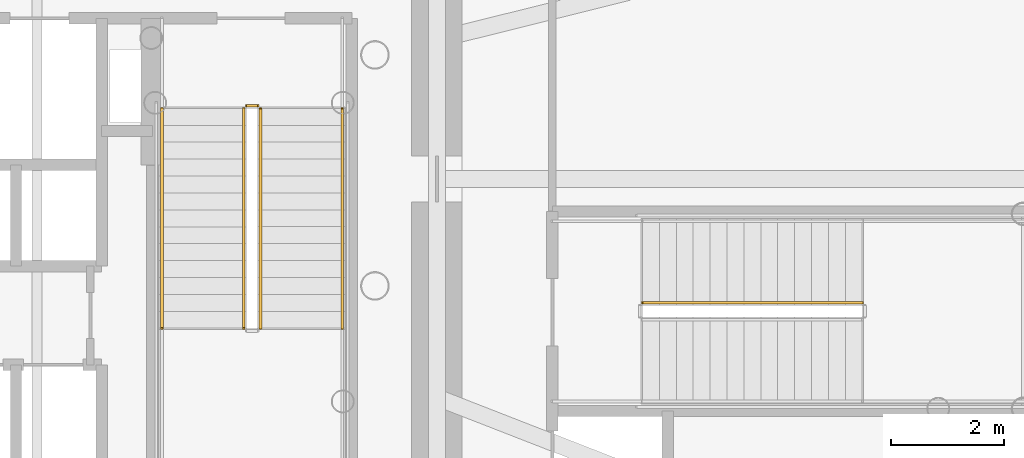
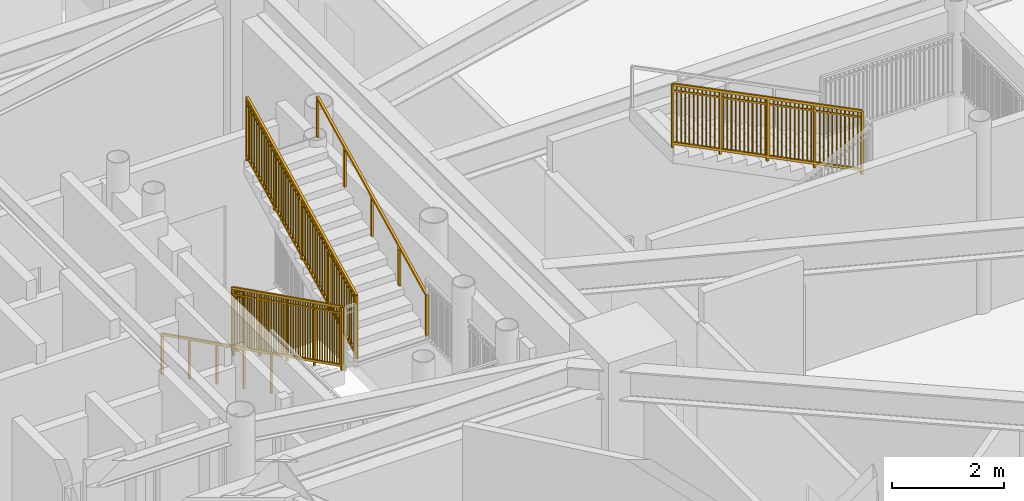
# One storey, part 25 of 28: 6 railings.
"""IFC4 building model written with IfcOpenShell, lengths in metres."""

import ifcopenshell
import ifcopenshell.guid

model = None  # the IFC model being written
_history = None  # IfcOwnerHistory: only IFC2X3 demands one
_inside = {}  # id of a spatial element -> (the spatial element, [elements in it])
_under = {}  # id of a project, library or spatial element -> (it, [spatial elements below it])
_declared = {}  # id of a project -> (the project, [libraries it declares])
_typed = {}  # id of a type object -> (the type object, [elements of that type])
_made_of = {}  # id of a material, layer set ... -> (it, [elements and type objects made of it])


def new_model(schema):
    """Start an empty IFC model of exactly this schema.

    Asked for "IFC4X3", IfcOpenShell would pick the latest addendum, in which some entities
    have other attributes; the version numbers below select the first issue.
    IFC2X3 requires an IfcOwnerHistory on every rooted entity: one is made here for all.
    """
    global model, _history
    if schema == "IFC4X3":
        model = ifcopenshell.file(schema_version=(4, 3, 0, 0))
    else:
        model = ifcopenshell.file(schema=schema)
    _inside.clear()
    _under.clear()
    _declared.clear()
    _typed.clear()
    _made_of.clear()
    _history = None
    if model.schema == "IFC2X3":
        org = make("IfcOrganization", Name="unknown")
        user = make(
            "IfcPersonAndOrganization",
            ThePerson=make("IfcPerson", FamilyName="unknown"),
            TheOrganization=org,
        )
        app = make(
            "IfcApplication",
            ApplicationDeveloper=org,
            Version="unknown",
            ApplicationFullName="unknown",
            ApplicationIdentifier="unknown",
        )
        _history = make(
            "IfcOwnerHistory",
            OwningUser=user,
            OwningApplication=app,
            ChangeAction="ADDED",
            CreationDate=0,
        )
    return model


def make(cls, **values):
    """One entity of the class cls with the attributes given. An attribute that is None is left unset."""
    return model.create_entity(
        cls, **{name: value for name, value in values.items() if value is not None}
    )


def rooted(cls, **values):
    """An entity with a GlobalId (a new one), such as an element, a storey or a relation."""
    return make(cls, GlobalId=ifcopenshell.guid.new(), OwnerHistory=_history, **values)


def si_unit(unit_type, name, prefix=None):
    """IfcSIUnit, for example si_unit("LENGTHUNIT", "METRE", prefix="MILLI")."""
    return make("IfcSIUnit", UnitType=unit_type, Prefix=prefix, Name=name)


def assignment(units):
    """IfcUnitAssignment: the units of a project."""
    return None if units is None else make("IfcUnitAssignment", Units=units)


def point(xyz):
    """IfcCartesianPoint."""
    return None if xyz is None else make("IfcCartesianPoint", Coordinates=xyz)


def direction(xyz):
    """IfcDirection."""
    return None if xyz is None else make("IfcDirection", DirectionRatios=xyz)


def frame(location, z_axis=None, x_axis=None):
    """IfcAxis2Placement3D, a coordinate frame: its origin and axes. An axis left out is left unset."""
    return make(
        "IfcAxis2Placement3D",
        Location=point(location),
        Axis=direction(z_axis),
        RefDirection=direction(x_axis),
    )


def frame_2d(location, x_axis=None):
    """IfcAxis2Placement2D, a coordinate frame in the plane: its origin and x axis."""
    return make(
        "IfcAxis2Placement2D", Location=point(location), RefDirection=direction(x_axis)
    )


def origin():
    """The frame at (0, 0, 0) with its axes left unset."""
    return frame((0.0, 0.0, 0.0))


def origin_2d():
    """The frame at (0, 0) in the plane with its x axis left unset."""
    return frame_2d((0.0, 0.0))


def place(relative_to, where):
    """IfcLocalPlacement: puts the frame where relative to a parent placement (None: the world)."""
    return make(
        "IfcLocalPlacement", PlacementRelTo=relative_to, RelativePlacement=where
    )


def context(
    kind, dimensions, precision=None, world=None, true_north=None, identifier=None
):
    """IfcGeometricRepresentationContext, for example the 3D "Model" context."""
    return make(
        "IfcGeometricRepresentationContext",
        ContextIdentifier=identifier,
        ContextType=kind,
        CoordinateSpaceDimension=dimensions,
        Precision=precision,
        WorldCoordinateSystem=world,
        TrueNorth=true_north,
    )


def subcontext(parent, identifier, kind, view, scale=None):
    """IfcGeometricRepresentationSubContext, for example "Body" below "Model"."""
    return make(
        "IfcGeometricRepresentationSubContext",
        ContextIdentifier=identifier,
        ContextType=kind,
        ParentContext=parent,
        TargetScale=scale,
        TargetView=view,
    )


def project(units=None, contexts=None):
    """IfcProject with its units and contexts."""
    return rooted(
        "IfcProject",
        Name="project",
        RepresentationContexts=contexts,
        UnitsInContext=assignment(units),
    )


def spatial(cls, under=None, at=None, **own):
    """A site, building, storey or space (cls), placed at a placement, below another one or the project."""
    s = rooted(cls, ObjectPlacement=at, **own)
    if under is not None:
        _under.setdefault(under.id(), (under, []))[1].append(s)
    return s


def profile(cls, at=None, kind="AREA", **sizes):
    """A parametric profile (cls). Its sizes go by their IFC names, for example OverallWidth=200.0."""
    return make(cls, ProfileType=kind, Position=at, **sizes)


def rectangle(**sizes):
    """IfcRectangleProfileDef."""
    return profile("IfcRectangleProfileDef", **sizes)


def extrude(swept, where, along, depth):
    """IfcExtrudedAreaSolid: the profile swept, set in the frame where, extruded along a direction by depth."""
    return make(
        "IfcExtrudedAreaSolid",
        SweptArea=swept,
        Position=where,
        ExtrudedDirection=direction(along),
        Depth=depth,
    )


def shape(context_of_items, identifier, shape_type, items):
    """IfcShapeRepresentation: the items that make up one representation, for example the "Body"."""
    return make(
        "IfcShapeRepresentation",
        ContextOfItems=context_of_items,
        RepresentationIdentifier=identifier,
        RepresentationType=shape_type,
        Items=items,
    )


def source(mapping_origin, context_of_items, identifier, shape_type, items):
    """IfcRepresentationMap: a shape defined once, which mapped items show again and again."""
    return make(
        "IfcRepresentationMap",
        MappingOrigin=mapping_origin,
        MappedRepresentation=shape(context_of_items, identifier, shape_type, items),
    )


def transform(
    local_origin,
    x_axis=None,
    y_axis=None,
    z_axis=None,
    scale=None,
    scale2=None,
    scale3=None,
    uniform=True,
):
    """IfcCartesianTransformationOperator3D, or its non-uniform kind. x_axis, y_axis, z_axis: its Axis1, 2, 3."""
    if uniform:
        return make(
            "IfcCartesianTransformationOperator3D",
            Axis1=direction(x_axis),
            Axis2=direction(y_axis),
            LocalOrigin=point(local_origin),
            Scale=scale,
            Axis3=direction(z_axis),
        )
    return make(
        "IfcCartesianTransformationOperator3DnonUniform",
        Axis1=direction(x_axis),
        Axis2=direction(y_axis),
        LocalOrigin=point(local_origin),
        Scale=scale,
        Axis3=direction(z_axis),
        Scale2=scale2,
        Scale3=scale3,
    )


def mapped(mapping_source, mapping_target):
    """IfcMappedItem: shows the shape of a source again, moved by a transform."""
    return make(
        "IfcMappedItem", MappingSource=mapping_source, MappingTarget=mapping_target
    )


def material(Name=None, Category=None):
    """IfcMaterial."""
    return make("IfcMaterial", Name=Name, Category=Category)


def made_of(thing, what):
    """Note that an element or type object is made of a material, layer set ...; save() writes the relation."""
    if what is not None:
        _made_of.setdefault(what.id(), (what, []))[1].append(thing)
    return thing


def type_object(cls, material=None, **own):
    """A type object (cls), such as IfcWallType, which elements share."""
    return made_of(rooted(cls, **own), material)


def element(
    cls,
    number,
    at=None,
    inside=None,
    cuts=None,
    type_object=None,
    material=None,
    context=None,
    identifier="Body",
    shape_type=None,
    held_by="IfcProductDefinitionShape",
    body=None,
    shapes=None,
    **own,
):
    """One element of the class cls, such as IfcWall. Its Tag is "e" and its number.

    at: its placement. inside: the storey or other place that contains it. cuts: it is an
    opening in that element (IfcRelVoidsElement). A single representation is given by context,
    identifier, shape_type and body (its items); several are given by shapes. held_by: the class
    of the entity that holds the representations. save() writes the other relations.
    """
    e = rooted(cls, Tag="e%d" % number, ObjectPlacement=at, **own)
    if body is not None:
        shapes = [shape(context, identifier, shape_type, body)]
    if shapes is not None:
        e.Representation = make(held_by, Representations=shapes)
    if inside is not None:
        _inside.setdefault(inside.id(), (inside, []))[1].append(e)
    if cuts is not None:
        rooted(
            "IfcRelVoidsElement", RelatingBuildingElement=cuts, RelatedOpeningElement=e
        )
    if type_object is not None:
        _typed.setdefault(type_object.id(), (type_object, []))[1].append(e)
    return made_of(e, material)


def aggregate(whole, parts):
    """IfcRelAggregates: a whole, such as a stair, and the parts it consists of."""
    return rooted("IfcRelAggregates", RelatingObject=whole, RelatedObjects=parts)


def save(model, path):
    """Write the relations noted so far, then the file.

    IfcRelAggregates (storeys below a building ...), IfcRelContainedInSpatialStructure (elements
    in a storey), IfcRelDefinesByType, IfcRelAssociatesMaterial and IfcRelDeclares: one each for
    every whole, place, type object, material and project.
    """
    for whole, parts in _under.values():
        aggregate(whole, parts)
    for where, things in _inside.values():
        rooted(
            "IfcRelContainedInSpatialStructure",
            RelatedElements=things,
            RelatingStructure=where,
        )
    for kind, things in _typed.values():
        rooted("IfcRelDefinesByType", RelatedObjects=things, RelatingType=kind)
    for what, things in _made_of.values():
        rooted("IfcRelAssociatesMaterial", RelatedObjects=things, RelatingMaterial=what)
    for by, libraries in _declared.values():
        rooted("IfcRelDeclares", RelatingContext=by, RelatedDefinitions=libraries)
    model.write(path)


model = new_model("IFC4")

# Units and contexts
model_context = context("Model", 3, precision=1e-05, world=origin(), true_north=direction((0.0, 1.0)))
body_context = subcontext(model_context, "Body", "Model", "MODEL_VIEW")
ifc_project = project(units=[si_unit("LENGTHUNIT", "METRE"), si_unit("AREAUNIT", "SQUARE_METRE"), si_unit("VOLUMEUNIT", "CUBIC_METRE"), si_unit("PLANEANGLEUNIT", "RADIAN"), si_unit("MASSUNIT", "GRAM", prefix="KILO")], contexts=[model_context])

# Site, building, storey
site_placement = place(None, origin())
site = spatial("IfcSite", under=ifc_project, at=site_placement, CompositionType="ELEMENT")
building_placement = place(site_placement, origin())
building = spatial("IfcBuilding", under=site, at=building_placement, Name="Linh Dai School and Residence Tower", CompositionType="ELEMENT")
storey_placement = place(building_placement, frame((0.0, 0.0, 36.60009765625)))
storey = spatial("IfcBuildingStorey", under=building, at=storey_placement, Name="L08", CompositionType="ELEMENT", Elevation=36.60009765625)

# Railings
ifc_material_1 = material(Name="Structural Steel S355JR", Category="steel")
railing_type_1 = type_object("IfcRailingType", Name="RL-ST-GUARD-1400", PredefinedType="GUARDRAIL", material=ifc_material_1)
shared_shape_1 = source(origin(), body_context, "Body", "SweptSolid", [
    extrude(rectangle(XDim=0.048095703125, YDim=0.048095703125, at=origin_2d()), frame((0.0, 0.0, 1.3759765625), z_axis=(1.0, 0.0, 0.0), x_axis=(0.0, 1.0, 0.0)), (0.0, 0.0, 1.0), 0.199951171875),
    extrude(rectangle(XDim=0.048095703125, YDim=0.048095703125, at=origin_2d()), frame((0.0, 0.0, 0.10009765625), z_axis=(1.0, 0.0, 0.0), x_axis=(0.0, 1.0, 0.0)), (0.0, 0.0, 1.0), 0.199951171875),
    extrude(rectangle(XDim=0.030029296875, YDim=0.030029296875, at=origin_2d()), frame((0.0, 0.0, 1.239990234375), z_axis=(1.0, 0.0, 0.0), x_axis=(0.0, 1.0, 0.0)), (0.0, 0.0, 1.0), 0.199951171875),
    extrude(rectangle(XDim=0.0419921875, YDim=0.0419921875, at=origin_2d()), origin(), (0.0, 0.0, 1.0), 1.3759765625),
    extrude(rectangle(XDim=0.0419921875, YDim=0.0419921875, at=origin_2d()), frame((0.199951171875, 0.0, 0.0)), (0.0, 0.0, 1.0), 1.3759765625),
])
railing_1_placement = place(storey_placement, frame((42.570068359375, 28.300048828125, 0.0)))
element("IfcRailing", 1, at=railing_1_placement, inside=storey, type_object=railing_type_1, Name="L08 ST2 stair guard 7", PredefinedType="GUARDRAIL", context=body_context, shape_type="MappedRepresentation", body=[
    mapped(shared_shape_1, transform((0.0, 0.0, 0.0), x_axis=(1.0, 0.0, 0.0), y_axis=(0.0, 1.0, 0.0), z_axis=(0.0, 0.0, 1.0), scale=1.0)),
])
shared_shape_2 = source(origin(), body_context, "Body", "SweptSolid", [
    extrude(rectangle(XDim=0.048095703125, YDim=0.048095703125, at=origin_2d()), frame((0.0, 0.0, 1.3759765625), z_axis=(0.0, 0.894427191, 0.4472135955), x_axis=(-1.0, 0.0, 0.0)), (0.0, 0.0, 1.0), 4.360107421875),
    extrude(rectangle(XDim=0.048095703125, YDim=0.048095703125, at=origin_2d()), frame((0.0, 0.0, 0.10009765625), z_axis=(0.0, 0.894427191, 0.4472135955), x_axis=(-1.0, 0.0, 0.0)), (0.0, 0.0, 1.0), 4.360107421875),
    extrude(rectangle(XDim=0.030029296875, YDim=0.030029296875, at=origin_2d()), frame((0.0, 0.0, 1.239990234375), z_axis=(0.0, 0.894427191, 0.4472135955), x_axis=(-1.0, 0.0, 0.0)), (0.0, 0.0, 1.0), 4.360107421875),
    extrude(rectangle(XDim=0.02001953125, YDim=0.02001953125, at=origin_2d()), frame((0.0, 0.086669921875, 0.143310546875)), (0.0, 0.0, 1.0), 1.251708984375),
    extrude(rectangle(XDim=0.02001953125, YDim=0.02001953125, at=origin_2d()), frame((0.0, 0.17333984375, 0.186767578125)), (0.0, 0.0, 1.0), 1.251708984375),
    extrude(rectangle(XDim=0.02001953125, YDim=0.02001953125, at=origin_2d()), frame((0.0, 0.260009765625, 0.22998046875)), (0.0, 0.0, 1.0), 1.251708984375),
    extrude(rectangle(XDim=0.02001953125, YDim=0.02001953125, at=origin_2d()), frame((0.0, 0.3466796875, 0.2734375)), (0.0, 0.0, 1.0), 1.251708984375),
    extrude(rectangle(XDim=0.02001953125, YDim=0.02001953125, at=origin_2d()), frame((0.0, 0.433349609375, 0.316650390625)), (0.0, 0.0, 1.0), 1.251708984375),
    extrude(rectangle(XDim=0.02001953125, YDim=0.02001953125, at=origin_2d()), frame((0.0, 0.52001953125, 0.360107421875)), (0.0, 0.0, 1.0), 1.251708984375),
    extrude(rectangle(XDim=0.02001953125, YDim=0.02001953125, at=origin_2d()), frame((0.0, 0.606689453125, 0.4033203125)), (0.0, 0.0, 1.0), 1.251708984375),
    extrude(rectangle(XDim=0.02001953125, YDim=0.02001953125, at=origin_2d()), frame((0.0, 0.693359375, 0.44677734375)), (0.0, 0.0, 1.0), 1.251708984375),
    extrude(rectangle(XDim=0.02001953125, YDim=0.02001953125, at=origin_2d()), frame((0.0, 0.780029296875, 0.489990234375)), (0.0, 0.0, 1.0), 1.251708984375),
    extrude(rectangle(XDim=0.02001953125, YDim=0.02001953125, at=origin_2d()), frame((0.0, 0.86669921875, 0.533447265625)), (0.0, 0.0, 1.0), 1.251708984375),
    extrude(rectangle(XDim=0.02001953125, YDim=0.02001953125, at=origin_2d()), frame((0.0, 1.0400390625, 0.6201171875)), (0.0, 0.0, 1.0), 1.251708984375),
    extrude(rectangle(XDim=0.02001953125, YDim=0.02001953125, at=origin_2d()), frame((0.0, 1.126708984375, 0.663330078125)), (0.0, 0.0, 1.0), 1.251708984375),
    extrude(rectangle(XDim=0.02001953125, YDim=0.02001953125, at=origin_2d()), frame((0.0, 1.21337890625, 0.706787109375)), (0.0, 0.0, 1.0), 1.251708984375),
    extrude(rectangle(XDim=0.02001953125, YDim=0.02001953125, at=origin_2d()), frame((0.0, 1.300048828125, 0.75)), (0.0, 0.0, 1.0), 1.251708984375),
    extrude(rectangle(XDim=0.02001953125, YDim=0.02001953125, at=origin_2d()), frame((0.0, 1.38671875, 0.79345703125)), (0.0, 0.0, 1.0), 1.251708984375),
    extrude(rectangle(XDim=0.02001953125, YDim=0.02001953125, at=origin_2d()), frame((0.0, 1.473388671875, 0.836669921875)), (0.0, 0.0, 1.0), 1.251708984375),
    extrude(rectangle(XDim=0.02001953125, YDim=0.02001953125, at=origin_2d()), frame((0.0, 1.56005859375, 0.880126953125)), (0.0, 0.0, 1.0), 1.251708984375),
    extrude(rectangle(XDim=0.02001953125, YDim=0.02001953125, at=origin_2d()), frame((0.0, 1.646728515625, 0.92333984375)), (0.0, 0.0, 1.0), 1.251708984375),
    extrude(rectangle(XDim=0.02001953125, YDim=0.02001953125, at=origin_2d()), frame((0.0, 1.7333984375, 0.966796875)), (0.0, 0.0, 1.0), 1.251708984375),
    extrude(rectangle(XDim=0.02001953125, YDim=0.02001953125, at=origin_2d()), frame((0.0, 1.820068359375, 1.010009765625)), (0.0, 0.0, 1.0), 1.251708984375),
    extrude(rectangle(XDim=0.02001953125, YDim=0.02001953125, at=origin_2d()), frame((0.0, 1.90673828125, 1.053466796875)), (0.0, 0.0, 1.0), 1.251708984375),
    extrude(rectangle(XDim=0.02001953125, YDim=0.02001953125, at=origin_2d()), frame((0.0, 1.9931640625, 1.0966796875)), (0.0, 0.0, 1.0), 1.251708984375),
    extrude(rectangle(XDim=0.02001953125, YDim=0.02001953125, at=origin_2d()), frame((0.0, 2.079833984375, 1.14013671875)), (0.0, 0.0, 1.0), 1.251708984375),
    extrude(rectangle(XDim=0.02001953125, YDim=0.02001953125, at=origin_2d()), frame((0.0, 2.16650390625, 1.183349609375)), (0.0, 0.0, 1.0), 1.251708984375),
    extrude(rectangle(XDim=0.02001953125, YDim=0.02001953125, at=origin_2d()), frame((0.0, 2.253173828125, 1.226806640625)), (0.0, 0.0, 1.0), 1.251708984375),
    extrude(rectangle(XDim=0.02001953125, YDim=0.02001953125, at=origin_2d()), frame((0.0, 2.33984375, 1.27001953125)), (0.0, 0.0, 1.0), 1.251708984375),
    extrude(rectangle(XDim=0.02001953125, YDim=0.02001953125, at=origin_2d()), frame((0.0, 2.426513671875, 1.3134765625)), (0.0, 0.0, 1.0), 1.251708984375),
    extrude(rectangle(XDim=0.02001953125, YDim=0.02001953125, at=origin_2d()), frame((0.0, 2.51318359375, 1.356689453125)), (0.0, 0.0, 1.0), 1.251708984375),
    extrude(rectangle(XDim=0.02001953125, YDim=0.02001953125, at=origin_2d()), frame((0.0, 2.599853515625, 1.400146484375)), (0.0, 0.0, 1.0), 1.251708984375),
    extrude(rectangle(XDim=0.02001953125, YDim=0.02001953125, at=origin_2d()), frame((0.0, 2.6865234375, 1.443359375)), (0.0, 0.0, 1.0), 1.251708984375),
    extrude(rectangle(XDim=0.02001953125, YDim=0.02001953125, at=origin_2d()), frame((0.0, 2.773193359375, 1.48681640625)), (0.0, 0.0, 1.0), 1.251708984375),
    extrude(rectangle(XDim=0.02001953125, YDim=0.02001953125, at=origin_2d()), frame((0.0, 2.85986328125, 1.530029296875)), (0.0, 0.0, 1.0), 1.251708984375),
    extrude(rectangle(XDim=0.02001953125, YDim=0.02001953125, at=origin_2d()), frame((0.0, 3.033203125, 1.61669921875)), (0.0, 0.0, 1.0), 1.251708984375),
    extrude(rectangle(XDim=0.02001953125, YDim=0.02001953125, at=origin_2d()), frame((0.0, 3.119873046875, 1.66015625)), (0.0, 0.0, 1.0), 1.251708984375),
    extrude(rectangle(XDim=0.02001953125, YDim=0.02001953125, at=origin_2d()), frame((0.0, 3.20654296875, 1.703369140625)), (0.0, 0.0, 1.0), 1.251708984375),
    extrude(rectangle(XDim=0.02001953125, YDim=0.02001953125, at=origin_2d()), frame((0.0, 3.293212890625, 1.746826171875)), (0.0, 0.0, 1.0), 1.251708984375),
    extrude(rectangle(XDim=0.02001953125, YDim=0.02001953125, at=origin_2d()), frame((0.0, 3.3798828125, 1.7900390625)), (0.0, 0.0, 1.0), 1.251708984375),
    extrude(rectangle(XDim=0.02001953125, YDim=0.02001953125, at=origin_2d()), frame((0.0, 3.466552734375, 1.83349609375)), (0.0, 0.0, 1.0), 1.251708984375),
    extrude(rectangle(XDim=0.02001953125, YDim=0.02001953125, at=origin_2d()), frame((0.0, 3.55322265625, 1.876708984375)), (0.0, 0.0, 1.0), 1.251708984375),
    extrude(rectangle(XDim=0.02001953125, YDim=0.02001953125, at=origin_2d()), frame((0.0, 3.639892578125, 1.920166015625)), (0.0, 0.0, 1.0), 1.251708984375),
    extrude(rectangle(XDim=0.02001953125, YDim=0.02001953125, at=origin_2d()), frame((0.0, 3.7265625, 1.96337890625)), (0.0, 0.0, 1.0), 1.251708984375),
    extrude(rectangle(XDim=0.02001953125, YDim=0.02001953125, at=origin_2d()), frame((0.0, 3.813232421875, 2.0068359375)), (0.0, 0.0, 1.0), 1.251708984375),
    extrude(rectangle(XDim=0.0419921875, YDim=0.0419921875, at=origin_2d()), origin(), (0.0, 0.0, 1.0), 1.3759765625),
    extrude(rectangle(XDim=0.0419921875, YDim=0.0419921875, at=origin_2d()), frame((0.0, 0.97509765625, 0.487548828125)), (0.0, 0.0, 1.0), 1.3759765625),
    extrude(rectangle(XDim=0.0419921875, YDim=0.0419921875, at=origin_2d()), frame((0.0, 1.949951171875, 0.97509765625)), (0.0, 0.0, 1.0), 1.3759765625),
    extrude(rectangle(XDim=0.0419921875, YDim=0.0419921875, at=origin_2d()), frame((0.0, 2.9248046875, 1.46240234375)), (0.0, 0.0, 1.0), 1.3759765625),
    extrude(rectangle(XDim=0.0419921875, YDim=0.0419921875, at=origin_2d()), frame((0.0, 3.89990234375, 1.949951171875)), (0.0, 0.0, 1.0), 1.3759765625),
])
railing_2_placement = place(storey_placement, frame((42.820068359375, 24.35009765625, 2.25)))
element("IfcRailing", 2, at=railing_2_placement, inside=storey, type_object=railing_type_1, Name="L08 ST2 stair guard 6", PredefinedType="GUARDRAIL", context=body_context, shape_type="MappedRepresentation", body=[
    mapped(shared_shape_2, transform((0.0, 0.0, 0.0), x_axis=(1.0, 0.0, 0.0), y_axis=(0.0, 1.0, 0.0), z_axis=(0.0, 0.0, 1.0), scale=1.0)),
])
ifc_material_2 = material(Name="Brushed Stainless Steel Handrail", Category="steel")
railing_type_2 = type_object("IfcRailingType", Name="RL-ST-HANDRAIL-900", PredefinedType="HANDRAIL", material=ifc_material_2)
shared_shape_3 = source(origin(), body_context, "Body", "SweptSolid", [
    extrude(rectangle(XDim=0.048095703125, YDim=0.048095703125, at=origin_2d()), frame((0.0, 0.0, 0.8759765625), z_axis=(0.0, 0.894427191, 0.4472135955), x_axis=(-1.0, 0.0, 0.0)), (0.0, 0.0, 1.0), 4.360107421875),
    extrude(rectangle(XDim=0.0419921875, YDim=0.0419921875, at=origin_2d()), origin(), (0.0, 0.0, 1.0), 0.8759765625),
    extrude(rectangle(XDim=0.0419921875, YDim=0.0419921875, at=origin_2d()), frame((0.0, 0.97509765625, 0.487548828125)), (0.0, 0.0, 1.0), 0.8759765625),
    extrude(rectangle(XDim=0.0419921875, YDim=0.0419921875, at=origin_2d()), frame((0.0, 1.949951171875, 0.97509765625)), (0.0, 0.0, 1.0), 0.8759765625),
    extrude(rectangle(XDim=0.0419921875, YDim=0.0419921875, at=origin_2d()), frame((0.0, 2.9248046875, 1.46240234375)), (0.0, 0.0, 1.0), 0.8759765625),
    extrude(rectangle(XDim=0.0419921875, YDim=0.0419921875, at=origin_2d()), frame((0.0, 3.89990234375, 1.949951171875)), (0.0, 0.0, 1.0), 0.8759765625),
])
railing_3_placement = place(storey_placement, frame((44.27001953125, 24.35009765625, 2.25)))
element("IfcRailing", 3, at=railing_3_placement, inside=storey, type_object=railing_type_2, Name="L08 ST2 stair handrail 2", PredefinedType="HANDRAIL", context=body_context, shape_type="MappedRepresentation", body=[
    mapped(shared_shape_3, transform((0.0, 0.0, 0.0), x_axis=(1.0, 0.0, 0.0), y_axis=(0.0, 1.0, 0.0), z_axis=(0.0, 0.0, 1.0), scale=1.0)),
])
shared_shape_4 = source(origin(), body_context, "Body", "SweptSolid", [
    extrude(rectangle(XDim=0.048095703125, YDim=0.048095703125, at=origin_2d()), frame((0.0, 0.0, 1.3759765625), z_axis=(0.0, -0.894427191, 0.4472135955), x_axis=(1.0, 0.0, 0.0)), (0.0, 0.0, 1.0), 4.360107421875),
    extrude(rectangle(XDim=0.048095703125, YDim=0.048095703125, at=origin_2d()), frame((0.0, 0.0, 0.10009765625), z_axis=(0.0, -0.894427191, 0.4472135955), x_axis=(1.0, 0.0, 0.0)), (0.0, 0.0, 1.0), 4.360107421875),
    extrude(rectangle(XDim=0.030029296875, YDim=0.030029296875, at=origin_2d()), frame((0.0, 0.0, 1.239990234375), z_axis=(0.0, -0.894427191, 0.4472135955), x_axis=(1.0, 0.0, 0.0)), (0.0, 0.0, 1.0), 4.360107421875),
    extrude(rectangle(XDim=0.02001953125, YDim=0.02001953125, at=origin_2d()), frame((0.0, -0.086669921875, 0.143310546875)), (0.0, 0.0, 1.0), 1.251708984375),
    extrude(rectangle(XDim=0.02001953125, YDim=0.02001953125, at=origin_2d()), frame((0.0, -0.17333984375, 0.186767578125)), (0.0, 0.0, 1.0), 1.251708984375),
    extrude(rectangle(XDim=0.02001953125, YDim=0.02001953125, at=origin_2d()), frame((0.0, -0.260009765625, 0.22998046875)), (0.0, 0.0, 1.0), 1.251708984375),
    extrude(rectangle(XDim=0.02001953125, YDim=0.02001953125, at=origin_2d()), frame((0.0, -0.3466796875, 0.2734375)), (0.0, 0.0, 1.0), 1.251708984375),
    extrude(rectangle(XDim=0.02001953125, YDim=0.02001953125, at=origin_2d()), frame((0.0, -0.433349609375, 0.316650390625)), (0.0, 0.0, 1.0), 1.251708984375),
    extrude(rectangle(XDim=0.02001953125, YDim=0.02001953125, at=origin_2d()), frame((0.0, -0.52001953125, 0.360107421875)), (0.0, 0.0, 1.0), 1.251708984375),
    extrude(rectangle(XDim=0.02001953125, YDim=0.02001953125, at=origin_2d()), frame((0.0, -0.606689453125, 0.4033203125)), (0.0, 0.0, 1.0), 1.251708984375),
    extrude(rectangle(XDim=0.02001953125, YDim=0.02001953125, at=origin_2d()), frame((0.0, -0.693359375, 0.44677734375)), (0.0, 0.0, 1.0), 1.251708984375),
    extrude(rectangle(XDim=0.02001953125, YDim=0.02001953125, at=origin_2d()), frame((0.0, -0.780029296875, 0.489990234375)), (0.0, 0.0, 1.0), 1.251708984375),
    extrude(rectangle(XDim=0.02001953125, YDim=0.02001953125, at=origin_2d()), frame((0.0, -0.86669921875, 0.533447265625)), (0.0, 0.0, 1.0), 1.251708984375),
    extrude(rectangle(XDim=0.02001953125, YDim=0.02001953125, at=origin_2d()), frame((0.0, -1.0400390625, 0.6201171875)), (0.0, 0.0, 1.0), 1.251708984375),
    extrude(rectangle(XDim=0.02001953125, YDim=0.02001953125, at=origin_2d()), frame((0.0, -1.126708984375, 0.663330078125)), (0.0, 0.0, 1.0), 1.251708984375),
    extrude(rectangle(XDim=0.02001953125, YDim=0.02001953125, at=origin_2d()), frame((0.0, -1.21337890625, 0.706787109375)), (0.0, 0.0, 1.0), 1.251708984375),
    extrude(rectangle(XDim=0.02001953125, YDim=0.02001953125, at=origin_2d()), frame((0.0, -1.300048828125, 0.75)), (0.0, 0.0, 1.0), 1.251708984375),
    extrude(rectangle(XDim=0.02001953125, YDim=0.02001953125, at=origin_2d()), frame((0.0, -1.38671875, 0.79345703125)), (0.0, 0.0, 1.0), 1.251708984375),
    extrude(rectangle(XDim=0.02001953125, YDim=0.02001953125, at=origin_2d()), frame((0.0, -1.473388671875, 0.836669921875)), (0.0, 0.0, 1.0), 1.251708984375),
    extrude(rectangle(XDim=0.02001953125, YDim=0.02001953125, at=origin_2d()), frame((0.0, -1.56005859375, 0.880126953125)), (0.0, 0.0, 1.0), 1.251708984375),
    extrude(rectangle(XDim=0.02001953125, YDim=0.02001953125, at=origin_2d()), frame((0.0, -1.646728515625, 0.92333984375)), (0.0, 0.0, 1.0), 1.251708984375),
    extrude(rectangle(XDim=0.02001953125, YDim=0.02001953125, at=origin_2d()), frame((0.0, -1.7333984375, 0.966796875)), (0.0, 0.0, 1.0), 1.251708984375),
    extrude(rectangle(XDim=0.02001953125, YDim=0.02001953125, at=origin_2d()), frame((0.0, -1.820068359375, 1.010009765625)), (0.0, 0.0, 1.0), 1.251708984375),
    extrude(rectangle(XDim=0.02001953125, YDim=0.02001953125, at=origin_2d()), frame((0.0, -1.90673828125, 1.053466796875)), (0.0, 0.0, 1.0), 1.251708984375),
    extrude(rectangle(XDim=0.02001953125, YDim=0.02001953125, at=origin_2d()), frame((0.0, -1.9931640625, 1.0966796875)), (0.0, 0.0, 1.0), 1.251708984375),
    extrude(rectangle(XDim=0.02001953125, YDim=0.02001953125, at=origin_2d()), frame((0.0, -2.079833984375, 1.14013671875)), (0.0, 0.0, 1.0), 1.251708984375),
    extrude(rectangle(XDim=0.02001953125, YDim=0.02001953125, at=origin_2d()), frame((0.0, -2.16650390625, 1.183349609375)), (0.0, 0.0, 1.0), 1.251708984375),
    extrude(rectangle(XDim=0.02001953125, YDim=0.02001953125, at=origin_2d()), frame((0.0, -2.253173828125, 1.226806640625)), (0.0, 0.0, 1.0), 1.251708984375),
    extrude(rectangle(XDim=0.02001953125, YDim=0.02001953125, at=origin_2d()), frame((0.0, -2.33984375, 1.27001953125)), (0.0, 0.0, 1.0), 1.251708984375),
    extrude(rectangle(XDim=0.02001953125, YDim=0.02001953125, at=origin_2d()), frame((0.0, -2.426513671875, 1.3134765625)), (0.0, 0.0, 1.0), 1.251708984375),
    extrude(rectangle(XDim=0.02001953125, YDim=0.02001953125, at=origin_2d()), frame((0.0, -2.51318359375, 1.356689453125)), (0.0, 0.0, 1.0), 1.251708984375),
    extrude(rectangle(XDim=0.02001953125, YDim=0.02001953125, at=origin_2d()), frame((0.0, -2.599853515625, 1.400146484375)), (0.0, 0.0, 1.0), 1.251708984375),
    extrude(rectangle(XDim=0.02001953125, YDim=0.02001953125, at=origin_2d()), frame((0.0, -2.6865234375, 1.443359375)), (0.0, 0.0, 1.0), 1.251708984375),
    extrude(rectangle(XDim=0.02001953125, YDim=0.02001953125, at=origin_2d()), frame((0.0, -2.773193359375, 1.48681640625)), (0.0, 0.0, 1.0), 1.251708984375),
    extrude(rectangle(XDim=0.02001953125, YDim=0.02001953125, at=origin_2d()), frame((0.0, -2.85986328125, 1.530029296875)), (0.0, 0.0, 1.0), 1.251708984375),
    extrude(rectangle(XDim=0.02001953125, YDim=0.02001953125, at=origin_2d()), frame((0.0, -3.033203125, 1.61669921875)), (0.0, 0.0, 1.0), 1.251708984375),
    extrude(rectangle(XDim=0.02001953125, YDim=0.02001953125, at=origin_2d()), frame((0.0, -3.119873046875, 1.66015625)), (0.0, 0.0, 1.0), 1.251708984375),
    extrude(rectangle(XDim=0.02001953125, YDim=0.02001953125, at=origin_2d()), frame((0.0, -3.20654296875, 1.703369140625)), (0.0, 0.0, 1.0), 1.251708984375),
    extrude(rectangle(XDim=0.02001953125, YDim=0.02001953125, at=origin_2d()), frame((0.0, -3.293212890625, 1.746826171875)), (0.0, 0.0, 1.0), 1.251708984375),
    extrude(rectangle(XDim=0.02001953125, YDim=0.02001953125, at=origin_2d()), frame((0.0, -3.3798828125, 1.7900390625)), (0.0, 0.0, 1.0), 1.251708984375),
    extrude(rectangle(XDim=0.02001953125, YDim=0.02001953125, at=origin_2d()), frame((0.0, -3.466552734375, 1.83349609375)), (0.0, 0.0, 1.0), 1.251708984375),
    extrude(rectangle(XDim=0.02001953125, YDim=0.02001953125, at=origin_2d()), frame((0.0, -3.55322265625, 1.876708984375)), (0.0, 0.0, 1.0), 1.251708984375),
    extrude(rectangle(XDim=0.02001953125, YDim=0.02001953125, at=origin_2d()), frame((0.0, -3.639892578125, 1.920166015625)), (0.0, 0.0, 1.0), 1.251708984375),
    extrude(rectangle(XDim=0.02001953125, YDim=0.02001953125, at=origin_2d()), frame((0.0, -3.7265625, 1.96337890625)), (0.0, 0.0, 1.0), 1.251708984375),
    extrude(rectangle(XDim=0.02001953125, YDim=0.02001953125, at=origin_2d()), frame((0.0, -3.813232421875, 2.0068359375)), (0.0, 0.0, 1.0), 1.251708984375),
    extrude(rectangle(XDim=0.0419921875, YDim=0.0419921875, at=origin_2d()), origin(), (0.0, 0.0, 1.0), 1.3759765625),
    extrude(rectangle(XDim=0.0419921875, YDim=0.0419921875, at=origin_2d()), frame((0.0, -0.97509765625, 0.487548828125)), (0.0, 0.0, 1.0), 1.3759765625),
    extrude(rectangle(XDim=0.0419921875, YDim=0.0419921875, at=origin_2d()), frame((0.0, -1.949951171875, 0.97509765625)), (0.0, 0.0, 1.0), 1.3759765625),
    extrude(rectangle(XDim=0.0419921875, YDim=0.0419921875, at=origin_2d()), frame((0.0, -2.9248046875, 1.46240234375)), (0.0, 0.0, 1.0), 1.3759765625),
    extrude(rectangle(XDim=0.0419921875, YDim=0.0419921875, at=origin_2d()), frame((0.0, -3.89990234375, 1.949951171875)), (0.0, 0.0, 1.0), 1.3759765625),
])
railing_4_placement = place(storey_placement, frame((42.52001953125, 28.25, 0.14990234375)))
element("IfcRailing", 4, at=railing_4_placement, inside=storey, type_object=railing_type_1, Name="L08 ST2 stair guard 1", PredefinedType="GUARDRAIL", context=body_context, shape_type="MappedRepresentation", body=[
    mapped(shared_shape_4, transform((0.0, 0.0, 0.0), x_axis=(1.0, 0.0, 0.0), y_axis=(0.0, 1.0, 0.0), z_axis=(0.0, 0.0, 1.0), scale=1.0)),
])
shared_shape_5 = source(origin(), body_context, "Body", "SweptSolid", [
    extrude(rectangle(XDim=0.048095703125, YDim=0.048095703125, at=origin_2d()), frame((0.0, 0.0, 0.8759765625), z_axis=(0.0, -0.894427191, 0.4472135955), x_axis=(1.0, 0.0, 0.0)), (0.0, 0.0, 1.0), 4.360107421875),
    extrude(rectangle(XDim=0.0419921875, YDim=0.0419921875, at=origin_2d()), origin(), (0.0, 0.0, 1.0), 0.8759765625),
    extrude(rectangle(XDim=0.0419921875, YDim=0.0419921875, at=origin_2d()), frame((0.0, -0.97509765625, 0.487548828125)), (0.0, 0.0, 1.0), 0.8759765625),
    extrude(rectangle(XDim=0.0419921875, YDim=0.0419921875, at=origin_2d()), frame((0.0, -1.949951171875, 0.97509765625)), (0.0, 0.0, 1.0), 0.8759765625),
    extrude(rectangle(XDim=0.0419921875, YDim=0.0419921875, at=origin_2d()), frame((0.0, -2.9248046875, 1.46240234375)), (0.0, 0.0, 1.0), 0.8759765625),
    extrude(rectangle(XDim=0.0419921875, YDim=0.0419921875, at=origin_2d()), frame((0.0, -3.89990234375, 1.949951171875)), (0.0, 0.0, 1.0), 0.8759765625),
])
railing_5_placement = place(storey_placement, frame((41.070068359375, 28.25, 0.14990234375)))
element("IfcRailing", 5, at=railing_5_placement, inside=storey, type_object=railing_type_2, Name="L08 ST2 stair handrail 1", PredefinedType="HANDRAIL", context=body_context, shape_type="MappedRepresentation", body=[
    mapped(shared_shape_5, transform((0.0, 0.0, 0.0), x_axis=(1.0, 0.0, 0.0), y_axis=(0.0, 1.0, 0.0), z_axis=(0.0, 0.0, 1.0), scale=1.0)),
])
shared_shape_6 = source(origin(), body_context, "Body", "SweptSolid", [
    extrude(rectangle(XDim=0.048095703125, YDim=0.048095703125, at=origin_2d()), frame((0.0, 0.0, 1.3759765625), z_axis=(-0.894427191, 0.0, 0.4472135955), x_axis=(0.0, -1.0, 0.0)), (0.0, 0.0, 1.0), 4.360107421875),
    extrude(rectangle(XDim=0.048095703125, YDim=0.048095703125, at=origin_2d()), frame((0.0, 0.0, 0.10009765625), z_axis=(-0.894427191, 0.0, 0.4472135955), x_axis=(0.0, -1.0, 0.0)), (0.0, 0.0, 1.0), 4.360107421875),
    extrude(rectangle(XDim=0.030029296875, YDim=0.030029296875, at=origin_2d()), frame((0.0, 0.0, 1.239990234375), z_axis=(-0.894427191, 0.0, 0.4472135955), x_axis=(0.0, -1.0, 0.0)), (0.0, 0.0, 1.0), 4.360107421875),
    extrude(rectangle(XDim=0.02001953125, YDim=0.02001953125, at=origin_2d()), frame((-0.086669921875, 0.0, 0.143310546875)), (0.0, 0.0, 1.0), 1.251708984375),
    extrude(rectangle(XDim=0.02001953125, YDim=0.02001953125, at=origin_2d()), frame((-0.17333984375, 0.0, 0.186767578125)), (0.0, 0.0, 1.0), 1.251708984375),
    extrude(rectangle(XDim=0.02001953125, YDim=0.02001953125, at=origin_2d()), frame((-0.260009765625, 0.0, 0.22998046875)), (0.0, 0.0, 1.0), 1.251708984375),
    extrude(rectangle(XDim=0.02001953125, YDim=0.02001953125, at=origin_2d()), frame((-0.3466796875, 0.0, 0.2734375)), (0.0, 0.0, 1.0), 1.251708984375),
    extrude(rectangle(XDim=0.02001953125, YDim=0.02001953125, at=origin_2d()), frame((-0.433349609375, 0.0, 0.316650390625)), (0.0, 0.0, 1.0), 1.251708984375),
    extrude(rectangle(XDim=0.02001953125, YDim=0.02001953125, at=origin_2d()), frame((-0.52001953125, 0.0, 0.360107421875)), (0.0, 0.0, 1.0), 1.251708984375),
    extrude(rectangle(XDim=0.02001953125, YDim=0.02001953125, at=origin_2d()), frame((-0.606689453125, 0.0, 0.4033203125)), (0.0, 0.0, 1.0), 1.251708984375),
    extrude(rectangle(XDim=0.02001953125, YDim=0.02001953125, at=origin_2d()), frame((-0.693359375, 0.0, 0.44677734375)), (0.0, 0.0, 1.0), 1.251708984375),
    extrude(rectangle(XDim=0.02001953125, YDim=0.02001953125, at=origin_2d()), frame((-0.780029296875, 0.0, 0.489990234375)), (0.0, 0.0, 1.0), 1.251708984375),
    extrude(rectangle(XDim=0.02001953125, YDim=0.02001953125, at=origin_2d()), frame((-0.86669921875, 0.0, 0.533447265625)), (0.0, 0.0, 1.0), 1.251708984375),
    extrude(rectangle(XDim=0.02001953125, YDim=0.02001953125, at=origin_2d()), frame((-1.0400390625, 0.0, 0.6201171875)), (0.0, 0.0, 1.0), 1.251708984375),
    extrude(rectangle(XDim=0.02001953125, YDim=0.02001953125, at=origin_2d()), frame((-1.126708984375, 0.0, 0.663330078125)), (0.0, 0.0, 1.0), 1.251708984375),
    extrude(rectangle(XDim=0.02001953125, YDim=0.02001953125, at=origin_2d()), frame((-1.21337890625, 0.0, 0.706787109375)), (0.0, 0.0, 1.0), 1.251708984375),
    extrude(rectangle(XDim=0.02001953125, YDim=0.02001953125, at=origin_2d()), frame((-1.300048828125, 0.0, 0.75)), (0.0, 0.0, 1.0), 1.251708984375),
    extrude(rectangle(XDim=0.02001953125, YDim=0.02001953125, at=origin_2d()), frame((-1.38671875, 0.0, 0.79345703125)), (0.0, 0.0, 1.0), 1.251708984375),
    extrude(rectangle(XDim=0.02001953125, YDim=0.02001953125, at=origin_2d()), frame((-1.473388671875, 0.0, 0.836669921875)), (0.0, 0.0, 1.0), 1.251708984375),
    extrude(rectangle(XDim=0.02001953125, YDim=0.02001953125, at=origin_2d()), frame((-1.56005859375, 0.0, 0.880126953125)), (0.0, 0.0, 1.0), 1.251708984375),
    extrude(rectangle(XDim=0.02001953125, YDim=0.02001953125, at=origin_2d()), frame((-1.646728515625, 0.0, 0.92333984375)), (0.0, 0.0, 1.0), 1.251708984375),
    extrude(rectangle(XDim=0.02001953125, YDim=0.02001953125, at=origin_2d()), frame((-1.7333984375, 0.0, 0.966796875)), (0.0, 0.0, 1.0), 1.251708984375),
    extrude(rectangle(XDim=0.02001953125, YDim=0.02001953125, at=origin_2d()), frame((-1.820068359375, 0.0, 1.010009765625)), (0.0, 0.0, 1.0), 1.251708984375),
    extrude(rectangle(XDim=0.02001953125, YDim=0.02001953125, at=origin_2d()), frame((-1.90673828125, 0.0, 1.053466796875)), (0.0, 0.0, 1.0), 1.251708984375),
    extrude(rectangle(XDim=0.02001953125, YDim=0.02001953125, at=origin_2d()), frame((-1.9931640625, 0.0, 1.0966796875)), (0.0, 0.0, 1.0), 1.251708984375),
    extrude(rectangle(XDim=0.02001953125, YDim=0.02001953125, at=origin_2d()), frame((-2.079833984375, 0.0, 1.14013671875)), (0.0, 0.0, 1.0), 1.251708984375),
    extrude(rectangle(XDim=0.02001953125, YDim=0.02001953125, at=origin_2d()), frame((-2.16650390625, 0.0, 1.183349609375)), (0.0, 0.0, 1.0), 1.251708984375),
    extrude(rectangle(XDim=0.02001953125, YDim=0.02001953125, at=origin_2d()), frame((-2.253173828125, 0.0, 1.226806640625)), (0.0, 0.0, 1.0), 1.251708984375),
    extrude(rectangle(XDim=0.02001953125, YDim=0.02001953125, at=origin_2d()), frame((-2.33984375, 0.0, 1.27001953125)), (0.0, 0.0, 1.0), 1.251708984375),
    extrude(rectangle(XDim=0.02001953125, YDim=0.02001953125, at=origin_2d()), frame((-2.426513671875, 0.0, 1.3134765625)), (0.0, 0.0, 1.0), 1.251708984375),
    extrude(rectangle(XDim=0.02001953125, YDim=0.02001953125, at=origin_2d()), frame((-2.51318359375, 0.0, 1.356689453125)), (0.0, 0.0, 1.0), 1.251708984375),
    extrude(rectangle(XDim=0.02001953125, YDim=0.02001953125, at=origin_2d()), frame((-2.599853515625, 0.0, 1.400146484375)), (0.0, 0.0, 1.0), 1.251708984375),
    extrude(rectangle(XDim=0.02001953125, YDim=0.02001953125, at=origin_2d()), frame((-2.6865234375, 0.0, 1.443359375)), (0.0, 0.0, 1.0), 1.251708984375),
    extrude(rectangle(XDim=0.02001953125, YDim=0.02001953125, at=origin_2d()), frame((-2.773193359375, 0.0, 1.48681640625)), (0.0, 0.0, 1.0), 1.251708984375),
    extrude(rectangle(XDim=0.02001953125, YDim=0.02001953125, at=origin_2d()), frame((-2.85986328125, 0.0, 1.530029296875)), (0.0, 0.0, 1.0), 1.251708984375),
    extrude(rectangle(XDim=0.02001953125, YDim=0.02001953125, at=origin_2d()), frame((-3.033203125, 0.0, 1.61669921875)), (0.0, 0.0, 1.0), 1.251708984375),
    extrude(rectangle(XDim=0.02001953125, YDim=0.02001953125, at=origin_2d()), frame((-3.119873046875, 0.0, 1.66015625)), (0.0, 0.0, 1.0), 1.251708984375),
    extrude(rectangle(XDim=0.02001953125, YDim=0.02001953125, at=origin_2d()), frame((-3.20654296875, 0.0, 1.703369140625)), (0.0, 0.0, 1.0), 1.251708984375),
    extrude(rectangle(XDim=0.02001953125, YDim=0.02001953125, at=origin_2d()), frame((-3.293212890625, 0.0, 1.746826171875)), (0.0, 0.0, 1.0), 1.251708984375),
    extrude(rectangle(XDim=0.02001953125, YDim=0.02001953125, at=origin_2d()), frame((-3.3798828125, 0.0, 1.7900390625)), (0.0, 0.0, 1.0), 1.251708984375),
    extrude(rectangle(XDim=0.02001953125, YDim=0.02001953125, at=origin_2d()), frame((-3.466552734375, 0.0, 1.83349609375)), (0.0, 0.0, 1.0), 1.251708984375),
    extrude(rectangle(XDim=0.02001953125, YDim=0.02001953125, at=origin_2d()), frame((-3.55322265625, 0.0, 1.876708984375)), (0.0, 0.0, 1.0), 1.251708984375),
    extrude(rectangle(XDim=0.02001953125, YDim=0.02001953125, at=origin_2d()), frame((-3.639892578125, 0.0, 1.920166015625)), (0.0, 0.0, 1.0), 1.251708984375),
    extrude(rectangle(XDim=0.02001953125, YDim=0.02001953125, at=origin_2d()), frame((-3.7265625, 0.0, 1.96337890625)), (0.0, 0.0, 1.0), 1.251708984375),
    extrude(rectangle(XDim=0.02001953125, YDim=0.02001953125, at=origin_2d()), frame((-3.813232421875, 0.0, 2.0068359375)), (0.0, 0.0, 1.0), 1.251708984375),
    extrude(rectangle(XDim=0.0419921875, YDim=0.0419921875, at=origin_2d()), origin(), (0.0, 0.0, 1.0), 1.3759765625),
    extrude(rectangle(XDim=0.0419921875, YDim=0.0419921875, at=origin_2d()), frame((-0.97509765625, 0.0, 0.487548828125)), (0.0, 0.0, 1.0), 1.3759765625),
    extrude(rectangle(XDim=0.0419921875, YDim=0.0419921875, at=origin_2d()), frame((-1.949951171875, 0.0, 0.97509765625)), (0.0, 0.0, 1.0), 1.3759765625),
    extrude(rectangle(XDim=0.0419921875, YDim=0.0419921875, at=origin_2d()), frame((-2.9248046875, 0.0, 1.46240234375)), (0.0, 0.0, 1.0), 1.3759765625),
    extrude(rectangle(XDim=0.0419921875, YDim=0.0419921875, at=origin_2d()), frame((-3.89990234375, 0.0, 1.949951171875)), (0.0, 0.0, 1.0), 1.3759765625),
])
railing_6_placement = place(storey_placement, frame((53.5, 24.800048828125, 2.25)))
element("IfcRailing", 6, at=railing_6_placement, inside=storey, type_object=railing_type_1, Name="L08 STS2 stair guard 6", PredefinedType="GUARDRAIL", context=body_context, shape_type="MappedRepresentation", body=[
    mapped(shared_shape_6, transform((0.0, 0.0, 0.0), x_axis=(1.0, 0.0, 0.0), y_axis=(0.0, 1.0, 0.0), z_axis=(0.0, 0.0, 1.0), scale=1.0)),
])

save(model, "model.ifc")
